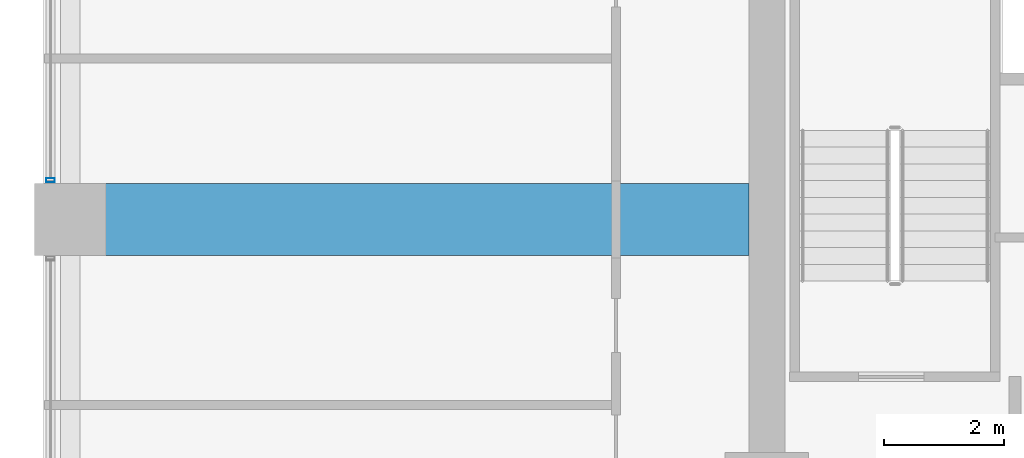
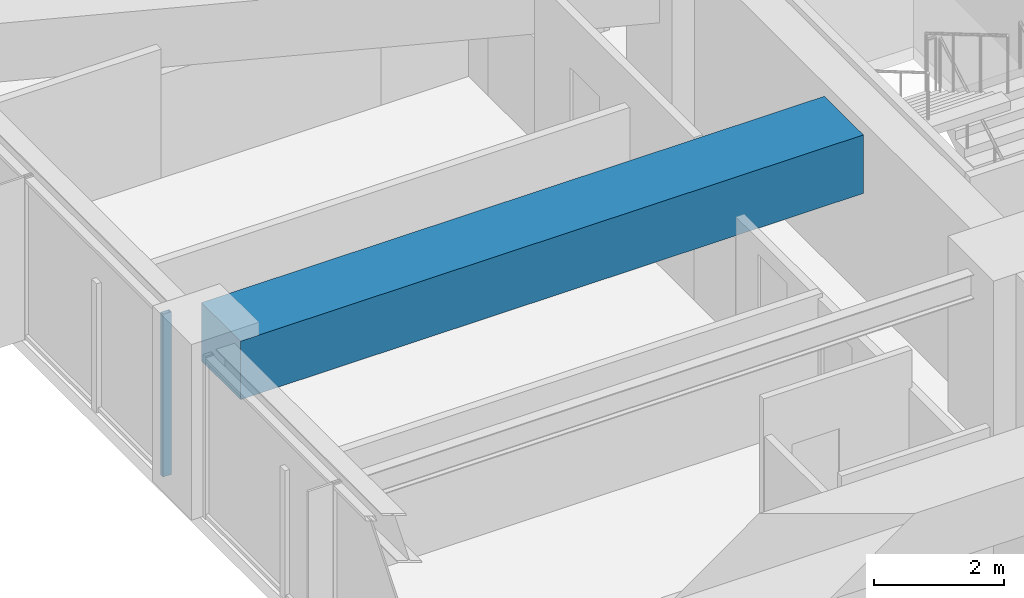
# One storey, part 10 of 37: 1 beam, 1 member, 1 element without a shape of its own.
"""IFC4 building model written with IfcOpenShell, lengths in metres."""

import ifcopenshell
import ifcopenshell.guid

model = None  # the IFC model being written
_history = None  # IfcOwnerHistory: only IFC2X3 demands one
_inside = {}  # id of a spatial element -> (the spatial element, [elements in it])
_under = {}  # id of a project, library or spatial element -> (it, [spatial elements below it])
_declared = {}  # id of a project -> (the project, [libraries it declares])
_typed = {}  # id of a type object -> (the type object, [elements of that type])
_made_of = {}  # id of a material, layer set ... -> (it, [elements and type objects made of it])


def new_model(schema):
    """Start an empty IFC model of exactly this schema.

    Asked for "IFC4X3", IfcOpenShell would pick the latest addendum, in which some entities
    have other attributes; the version numbers below select the first issue.
    IFC2X3 requires an IfcOwnerHistory on every rooted entity: one is made here for all.
    """
    global model, _history
    if schema == "IFC4X3":
        model = ifcopenshell.file(schema_version=(4, 3, 0, 0))
    else:
        model = ifcopenshell.file(schema=schema)
    _inside.clear()
    _under.clear()
    _declared.clear()
    _typed.clear()
    _made_of.clear()
    _history = None
    if model.schema == "IFC2X3":
        org = make("IfcOrganization", Name="unknown")
        user = make(
            "IfcPersonAndOrganization",
            ThePerson=make("IfcPerson", FamilyName="unknown"),
            TheOrganization=org,
        )
        app = make(
            "IfcApplication",
            ApplicationDeveloper=org,
            Version="unknown",
            ApplicationFullName="unknown",
            ApplicationIdentifier="unknown",
        )
        _history = make(
            "IfcOwnerHistory",
            OwningUser=user,
            OwningApplication=app,
            ChangeAction="ADDED",
            CreationDate=0,
        )
    return model


def make(cls, **values):
    """One entity of the class cls with the attributes given. An attribute that is None is left unset."""
    return model.create_entity(
        cls, **{name: value for name, value in values.items() if value is not None}
    )


def rooted(cls, **values):
    """An entity with a GlobalId (a new one), such as an element, a storey or a relation."""
    return make(cls, GlobalId=ifcopenshell.guid.new(), OwnerHistory=_history, **values)


def si_unit(unit_type, name, prefix=None):
    """IfcSIUnit, for example si_unit("LENGTHUNIT", "METRE", prefix="MILLI")."""
    return make("IfcSIUnit", UnitType=unit_type, Prefix=prefix, Name=name)


def assignment(units):
    """IfcUnitAssignment: the units of a project."""
    return None if units is None else make("IfcUnitAssignment", Units=units)


def point(xyz):
    """IfcCartesianPoint."""
    return None if xyz is None else make("IfcCartesianPoint", Coordinates=xyz)


def direction(xyz):
    """IfcDirection."""
    return None if xyz is None else make("IfcDirection", DirectionRatios=xyz)


def frame(location, z_axis=None, x_axis=None):
    """IfcAxis2Placement3D, a coordinate frame: its origin and axes. An axis left out is left unset."""
    return make(
        "IfcAxis2Placement3D",
        Location=point(location),
        Axis=direction(z_axis),
        RefDirection=direction(x_axis),
    )


def frame_2d(location, x_axis=None):
    """IfcAxis2Placement2D, a coordinate frame in the plane: its origin and x axis."""
    return make(
        "IfcAxis2Placement2D", Location=point(location), RefDirection=direction(x_axis)
    )


def origin():
    """The frame at (0, 0, 0) with its axes left unset."""
    return frame((0.0, 0.0, 0.0))


def origin_2d():
    """The frame at (0, 0) in the plane with its x axis left unset."""
    return frame_2d((0.0, 0.0))


def place(relative_to, where):
    """IfcLocalPlacement: puts the frame where relative to a parent placement (None: the world)."""
    return make(
        "IfcLocalPlacement", PlacementRelTo=relative_to, RelativePlacement=where
    )


def context(
    kind, dimensions, precision=None, world=None, true_north=None, identifier=None
):
    """IfcGeometricRepresentationContext, for example the 3D "Model" context."""
    return make(
        "IfcGeometricRepresentationContext",
        ContextIdentifier=identifier,
        ContextType=kind,
        CoordinateSpaceDimension=dimensions,
        Precision=precision,
        WorldCoordinateSystem=world,
        TrueNorth=true_north,
    )


def subcontext(parent, identifier, kind, view, scale=None):
    """IfcGeometricRepresentationSubContext, for example "Body" below "Model"."""
    return make(
        "IfcGeometricRepresentationSubContext",
        ContextIdentifier=identifier,
        ContextType=kind,
        ParentContext=parent,
        TargetScale=scale,
        TargetView=view,
    )


def project(units=None, contexts=None):
    """IfcProject with its units and contexts."""
    return rooted(
        "IfcProject",
        Name="project",
        RepresentationContexts=contexts,
        UnitsInContext=assignment(units),
    )


def spatial(cls, under=None, at=None, **own):
    """A site, building, storey or space (cls), placed at a placement, below another one or the project."""
    s = rooted(cls, ObjectPlacement=at, **own)
    if under is not None:
        _under.setdefault(under.id(), (under, []))[1].append(s)
    return s


def profile(cls, at=None, kind="AREA", **sizes):
    """A parametric profile (cls). Its sizes go by their IFC names, for example OverallWidth=200.0."""
    return make(cls, ProfileType=kind, Position=at, **sizes)


def rectangle(**sizes):
    """IfcRectangleProfileDef."""
    return profile("IfcRectangleProfileDef", **sizes)


def hollow_rectangle(**sizes):
    """IfcRectangleHollowProfileDef."""
    return profile("IfcRectangleHollowProfileDef", **sizes)


def extrude(swept, where, along, depth):
    """IfcExtrudedAreaSolid: the profile swept, set in the frame where, extruded along a direction by depth."""
    return make(
        "IfcExtrudedAreaSolid",
        SweptArea=swept,
        Position=where,
        ExtrudedDirection=direction(along),
        Depth=depth,
    )


def shape(context_of_items, identifier, shape_type, items):
    """IfcShapeRepresentation: the items that make up one representation, for example the "Body"."""
    return make(
        "IfcShapeRepresentation",
        ContextOfItems=context_of_items,
        RepresentationIdentifier=identifier,
        RepresentationType=shape_type,
        Items=items,
    )


def material(Name=None, Category=None):
    """IfcMaterial."""
    return make("IfcMaterial", Name=Name, Category=Category)


def material_profile(
    of_material, cross_section, Name=None, Category=None, Priority=None
):
    """IfcMaterialProfile: a cross section and its material."""
    return make(
        "IfcMaterialProfile",
        Name=Name,
        Material=of_material,
        Profile=cross_section,
        Priority=Priority,
        Category=Category,
    )


def profile_set(profiles, Name=None, composite=None):
    """IfcMaterialProfileSet."""
    return make(
        "IfcMaterialProfileSet",
        Name=Name,
        MaterialProfiles=profiles,
        CompositeProfile=composite,
    )


def made_of(thing, what):
    """Note that an element or type object is made of a material, layer set ...; save() writes the relation."""
    if what is not None:
        _made_of.setdefault(what.id(), (what, []))[1].append(thing)
    return thing


def type_object(cls, material=None, **own):
    """A type object (cls), such as IfcWallType, which elements share."""
    return made_of(rooted(cls, **own), material)


def element(
    cls,
    number,
    at=None,
    inside=None,
    cuts=None,
    type_object=None,
    material=None,
    context=None,
    identifier="Body",
    shape_type=None,
    held_by="IfcProductDefinitionShape",
    body=None,
    shapes=None,
    **own,
):
    """One element of the class cls, such as IfcWall. Its Tag is "e" and its number.

    at: its placement. inside: the storey or other place that contains it. cuts: it is an
    opening in that element (IfcRelVoidsElement). A single representation is given by context,
    identifier, shape_type and body (its items); several are given by shapes. held_by: the class
    of the entity that holds the representations. save() writes the other relations.
    """
    e = rooted(cls, Tag="e%d" % number, ObjectPlacement=at, **own)
    if body is not None:
        shapes = [shape(context, identifier, shape_type, body)]
    if shapes is not None:
        e.Representation = make(held_by, Representations=shapes)
    if inside is not None:
        _inside.setdefault(inside.id(), (inside, []))[1].append(e)
    if cuts is not None:
        rooted(
            "IfcRelVoidsElement", RelatingBuildingElement=cuts, RelatedOpeningElement=e
        )
    if type_object is not None:
        _typed.setdefault(type_object.id(), (type_object, []))[1].append(e)
    return made_of(e, material)


def aggregate(whole, parts):
    """IfcRelAggregates: a whole, such as a stair, and the parts it consists of."""
    return rooted("IfcRelAggregates", RelatingObject=whole, RelatedObjects=parts)


def save(model, path):
    """Write the relations noted so far, then the file.

    IfcRelAggregates (storeys below a building ...), IfcRelContainedInSpatialStructure (elements
    in a storey), IfcRelDefinesByType, IfcRelAssociatesMaterial and IfcRelDeclares: one each for
    every whole, place, type object, material and project.
    """
    for whole, parts in _under.values():
        aggregate(whole, parts)
    for where, things in _inside.values():
        rooted(
            "IfcRelContainedInSpatialStructure",
            RelatedElements=things,
            RelatingStructure=where,
        )
    for kind, things in _typed.values():
        rooted("IfcRelDefinesByType", RelatedObjects=things, RelatingType=kind)
    for what, things in _made_of.values():
        rooted("IfcRelAssociatesMaterial", RelatedObjects=things, RelatingMaterial=what)
    for by, libraries in _declared.values():
        rooted("IfcRelDeclares", RelatingContext=by, RelatedDefinitions=libraries)
    model.write(path)


model = new_model("IFC4")

# Units and contexts
model_context = context("Model", 3, precision=1e-05, world=origin(), true_north=direction((0.0, 1.0)))
body_context = subcontext(model_context, "Body", "Model", "MODEL_VIEW")
ifc_project = project(units=[si_unit("LENGTHUNIT", "METRE"), si_unit("AREAUNIT", "SQUARE_METRE"), si_unit("VOLUMEUNIT", "CUBIC_METRE"), si_unit("PLANEANGLEUNIT", "RADIAN"), si_unit("MASSUNIT", "GRAM", prefix="KILO")], contexts=[model_context])

# Site, building, storey
site_placement = place(None, origin())
site = spatial("IfcSite", under=ifc_project, at=site_placement, CompositionType="ELEMENT")
building_placement = place(site_placement, origin())
building = spatial("IfcBuilding", under=site, at=building_placement, Name="Kolvaren Belvedere", CompositionType="ELEMENT")
storey_placement = place(building_placement, frame((0.0, 0.0, 37.0)))
storey = spatial("IfcBuildingStorey", under=building, at=storey_placement, Name="L10", CompositionType="ELEMENT", Elevation=37.0)

# Beam
ifc_material_1 = material(Name="Concrete C50/60", Category="concrete")
ifc_material_profile_1 = material_profile(ifc_material_1, rectangle(XDim=1.199951171875, YDim=1.10009765625, at=origin_2d()), Name="RC 1200X1100")
ifc_profile_set_1 = profile_set([ifc_material_profile_1], Name="Concrete C50/60")
beam_type = type_object("IfcBeamType", Name="BM-TG-1100", PredefinedType="BEAM", material=ifc_profile_set_1)
beam_placement = place(storey_placement, frame((-10.199951171875, 4.60009765625, 2.510009765625), z_axis=(-1.0, 0.0, 0.0), x_axis=(0.0, -1.0, 0.0)))
element("IfcBeam", 1, at=beam_placement, inside=storey, type_object=beam_type, Name="L10 West Radial Girder P", PredefinedType="BEAM", context=body_context, shape_type="SweptSolid", body=[
    extrude(rectangle(XDim=1.199951171875, YDim=1.10009765625, at=origin_2d()), origin(), (0.0, 0.0, 1.0), 11.080078125),
])

# Curtain wall, member
ifc_material_2 = material(Name="Anodised pale-metal aluminium AA 6063-T6", Category="aluminium")
curtain_wall_type = type_object("IfcCurtainWallType", Name="CW-Z1-LOW", PredefinedType="NOTDEFINED", material=ifc_material_2)
curtain_wall_placement = place(storey_placement, origin())
curtain_wall = element("IfcCurtainWall", 2, at=curtain_wall_placement, inside=storey, type_object=curtain_wall_type, Name="L10 Unitised Curtain Wall FCW-L10-W-B3", PredefinedType="NOTDEFINED")
ifc_material_3 = material(Name="Anodised pale-metal aluminium AA 6063-T6", Category="aluminium")
ifc_material_profile_2 = material_profile(ifc_material_3, hollow_rectangle(XDim=0.070068359375, YDim=0.14990234375, WallThickness=0.004150390625, at=origin_2d()), Name="ALU-MUL-150X70")
ifc_profile_set_2 = profile_set([ifc_material_profile_2], Name="Anodised pale-metal aluminium AA 6063-T6")
member_type = type_object("IfcMemberType", Name="CW-MUL-150", PredefinedType="MULLION", material=ifc_profile_set_2)
member_placement = place(storey_placement, frame((-21.8798828125, 5.2548828125, 0.0), z_axis=(0.0, 0.0, 1.0), x_axis=(0.0, 1.0, 0.0)))
member = element("IfcMember", 3, at=member_placement, type_object=member_type, Name="FCW-L10-W-B3 Unitised Mullion 1", PredefinedType="MULLION", context=body_context, shape_type="SweptSolid", body=[
    extrude(hollow_rectangle(XDim=0.070068359375, YDim=0.14990234375, WallThickness=0.004150390625, at=origin_2d()), origin(), (0.0, 0.0, 1.0), 3.06005859375),
])
aggregate(curtain_wall, [member])

save(model, "model.ifc")
